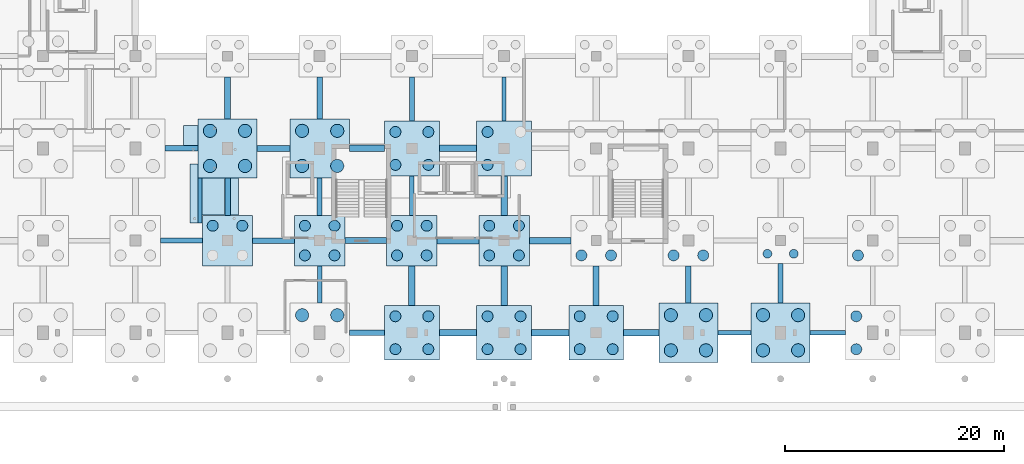
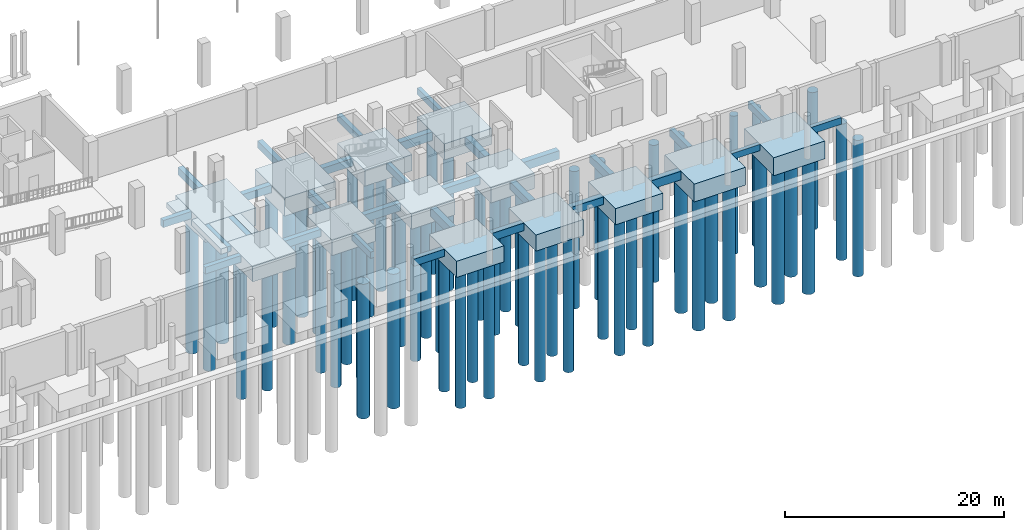
# One storey, part 3 of 39: 59 piles, 47 footings.
"""IFC4 building model written with IfcOpenShell, lengths in metres."""

from ifc_helpers import new_model, si_unit, derived_unit, direction, frame, origin, origin_2d, place, context, subcontext, project, spatial, polyline, rectangle, circle, outline, extrude, material, material_profile, profile_set, type_object, element, save


model = new_model("IFC4")

# Units and contexts
model_context = context("Model", 3, precision=1e-05, world=origin(), true_north=direction((0.0, 1.0)))
body_context = subcontext(model_context, "Body", "Model", "MODEL_VIEW")
ifc_project = project(units=[si_unit("LENGTHUNIT", "METRE"), si_unit("AREAUNIT", "SQUARE_METRE"), si_unit("VOLUMEUNIT", "CUBIC_METRE"), si_unit("PLANEANGLEUNIT", "RADIAN"), si_unit("MASSUNIT", "GRAM", prefix="KILO"), derived_unit("THERMALTRANSMITTANCEUNIT", [(si_unit("POWERUNIT", "WATT"), 1), (si_unit("LENGTHUNIT", "METRE"), -2), (si_unit("THERMODYNAMICTEMPERATUREUNIT", "KELVIN"), -1)])], contexts=[model_context])

# Site, building, storey
site_placement = place(None, origin())
site = spatial("IfcSite", under=ifc_project, at=site_placement, CompositionType="ELEMENT")
building_placement = place(site_placement, origin())
building = spatial("IfcBuilding", under=site, at=building_placement, Name="Barrovel Congress Hotel", CompositionType="ELEMENT")
storey_placement = place(building_placement, frame((0.0, 0.0, -4.5)))
storey = spatial("IfcBuildingStorey", under=building, at=storey_placement, Name="B01", CompositionType="ELEMENT", Elevation=-4.5)

# Footings
ifc_material_1 = material(Name="Concrete C40", Category="concrete")
footing_type_1 = type_object("IfcFootingType", Name="CAP-PC-09", PredefinedType="PILE_CAP", material=ifc_material_1)
for number, where, z_axis, x_axis, name in (
    (1, (67.199951171875, 12.60009765625, -2.06005859375), (0.0, 0.0, 1.0), (1.0, 0.0, 0.0), "CAP:B01:67.2:12.6"),
    (2, (75.60009765625, 12.60009765625, -2.06005859375), (0.0, 0.0, 1.0), (1.0, 0.0, 0.0), "CAP:B01:75.6:12.6"),
    (3, (84.0, 12.60009765625, -2.06005859375), (0.0, 0.0, 1.0), (1.0, 0.0, 0.0), "CAP:B01:84.0:12.6"),
    (4, (92.39990234375, 12.60009765625, -2.06005859375), (0.0, 0.0, 1.0), (1.0, 0.0, 0.0), "CAP:B01:92.4:12.6"),
):
    element("IfcFooting", number, at=place(storey_placement, frame(where, z_axis=z_axis, x_axis=x_axis)), inside=storey, type_object=footing_type_1, Name=name, PredefinedType="PILE_CAP", context=body_context, shape_type="SweptSolid", body=[
        extrude(rectangle(XDim=4.60009765625, YDim=4.60009765625, at=origin_2d()), origin(), (0.0, 0.0, 1.0), 1.699951171875),
    ])
footing_type_2 = type_object("IfcFootingType", Name="CAP-PC-10", PredefinedType="PILE_CAP", material=ifc_material_1)
for number, where, z_axis, x_axis, name in (
    (5, (84.0, 4.199951171875, -2.16015625), (0.0, 0.0, 1.0), (1.0, 0.0, 0.0), "CAP:B01:84.0:4.2"),
    (6, (84.0, 21.0, -2.16015625), (0.0, 0.0, 1.0), (1.0, 0.0, 0.0), "CAP:B01:84.0:21.0"),
    (7, (92.39990234375, 4.199951171875, -2.16015625), (0.0, 0.0, 1.0), (1.0, 0.0, 0.0), "CAP:B01:92.4:4.2"),
    (8, (92.39990234375, 21.0, -2.16015625), (0.0, 0.0, 1.0), (1.0, 0.0, 0.0), "CAP:B01:92.4:21.0"),
    (9, (100.800048828125, 4.199951171875, -2.16015625), (0.0, 0.0, 1.0), (1.0, 0.0, 0.0), "CAP:B01:100.8:4.2"),
):
    element("IfcFooting", number, at=place(storey_placement, frame(where, z_axis=z_axis, x_axis=x_axis)), inside=storey, type_object=footing_type_2, Name=name, PredefinedType="PILE_CAP", context=body_context, shape_type="SweptSolid", body=[
        extrude(rectangle(XDim=5.0, YDim=5.0, at=origin_2d()), origin(), (0.0, 0.0, 1.0), 1.800048828125),
    ])
footing_type_3 = type_object("IfcFootingType", Name="CAP-PC-11", PredefinedType="PILE_CAP", material=ifc_material_1)
for number, where, z_axis, x_axis, name in (
    (10, (67.199951171875, 21.0, -2.360107421875), (0.0, 0.0, 1.0), (1.0, 0.0, 0.0), "CAP:B01:67.2:21.0"),
    (11, (75.60009765625, 21.0, -2.360107421875), (0.0, 0.0, 1.0), (1.0, 0.0, 0.0), "CAP:B01:75.6:21.0"),
    (12, (109.199951171875, 4.199951171875, -2.360107421875), (0.0, 0.0, 1.0), (1.0, 0.0, 0.0), "CAP:B01:109.2:4.2"),
    (13, (117.60009765625, 4.199951171875, -2.360107421875), (0.0, 0.0, 1.0), (1.0, 0.0, 0.0), "CAP:B01:117.6:4.2"),
):
    element("IfcFooting", number, at=place(storey_placement, frame(where, z_axis=z_axis, x_axis=x_axis)), inside=storey, type_object=footing_type_3, Name=name, PredefinedType="PILE_CAP", context=body_context, shape_type="SweptSolid", body=[
        extrude(rectangle(XDim=5.39990234375, YDim=5.39990234375, at=origin_2d()), origin(), (0.0, 0.0, 1.0), 2.0),
    ])
footing_type_4 = type_object("IfcFootingType", Name="FB-400x700", PredefinedType="FOOTING_BEAM", material=ifc_material_1)
footing_1_placement = place(storey_placement, frame((0.0, 0.0, -1.06005859375)))
element("IfcFooting", 14, at=footing_1_placement, inside=storey, type_object=footing_type_4, Name="FBX:B01:4.2:109.2-117.6", PredefinedType="FOOTING_BEAM", context=body_context, shape_type="SweptSolid", body=[
    extrude(outline(polyline([(111.89990234375, 4.0), (114.89990234375, 4.0), (114.89990234375, 4.39990234375), (111.89990234375, 4.39990234375), (111.89990234375, 4.0)])), origin(), (0.0, 0.0, 1.0), 0.699951171875),
])
footing_2_placement = place(storey_placement, frame((0.0, 0.0, -1.06005859375)))
element("IfcFooting", 15, at=footing_2_placement, inside=storey, type_object=footing_type_4, Name="FBY:B01:75.6:4.2-12.6", PredefinedType="FOOTING_BEAM", context=body_context, shape_type="SweptSolid", body=[
    extrude(outline(polyline([(75.39990234375, 6.89990234375), (75.800048828125, 6.89990234375), (75.800048828125, 10.300048828125), (75.39990234375, 10.300048828125), (75.39990234375, 6.89990234375)])), origin(), (0.0, 0.0, 1.0), 0.699951171875),
])
footing_3_placement = place(storey_placement, frame((0.0, 0.0, -1.06005859375)))
element("IfcFooting", 16, at=footing_3_placement, inside=storey, type_object=footing_type_4, Name="FBY:B01:84.0:12.6-21.0", PredefinedType="FOOTING_BEAM", context=body_context, shape_type="SweptSolid", body=[
    extrude(outline(polyline([(83.800048828125, 14.89990234375), (84.199951171875, 14.89990234375), (84.199951171875, 18.5), (83.800048828125, 18.5), (83.800048828125, 14.89990234375)])), origin(), (0.0, 0.0, 1.0), 0.699951171875),
])
footing_4_placement = place(storey_placement, frame((0.0, 0.0, -1.06005859375)))
element("IfcFooting", 17, at=footing_4_placement, inside=storey, type_object=footing_type_4, Name="FBY:B01:92.4:21.0-29.4", PredefinedType="FOOTING_BEAM", context=body_context, shape_type="SweptSolid", body=[
    extrude(outline(polyline([(92.199951171875, 23.5), (92.60009765625, 23.5), (92.60009765625, 27.5), (92.199951171875, 27.5), (92.199951171875, 23.5)])), origin(), (0.0, 0.0, 1.0), 0.699951171875),
])
footing_type_5 = type_object("IfcFootingType", Name="FB-450x750", PredefinedType="FOOTING_BEAM", material=ifc_material_1)
footing_5_placement = place(storey_placement, frame((0.0, 0.0, -1.110107421875)))
element("IfcFooting", 18, at=footing_5_placement, inside=storey, type_object=footing_type_5, Name="FBX:B01:4.2:117.6-126.0", PredefinedType="FOOTING_BEAM", context=body_context, shape_type="SweptSolid", body=[
    extrude(outline(polyline([(120.300048828125, 3.97509765625), (123.5, 3.97509765625), (123.5, 4.425048828125), (120.300048828125, 4.425048828125), (120.300048828125, 3.97509765625)])), origin(), (0.0, 0.0, 1.0), 0.75),
])
footing_6_placement = place(storey_placement, frame((0.0, 0.0, -1.110107421875)))
element("IfcFooting", 19, at=footing_6_placement, inside=storey, type_object=footing_type_5, Name="FBX:B01:12.6:58.8-67.2", PredefinedType="FOOTING_BEAM", context=body_context, shape_type="SweptSolid", body=[
    extrude(outline(polyline([(61.10009765625, 12.375), (64.89990234375, 12.375), (64.89990234375, 12.824951171875), (61.10009765625, 12.824951171875), (61.10009765625, 12.375)])), origin(), (0.0, 0.0, 1.0), 0.75),
])
footing_7_placement = place(storey_placement, frame((0.0, 0.0, -1.110107421875)))
element("IfcFooting", 20, at=footing_7_placement, inside=storey, type_object=footing_type_5, Name="FBY:B01:75.6:12.6-21.0", PredefinedType="FOOTING_BEAM", context=body_context, shape_type="SweptSolid", body=[
    extrude(outline(polyline([(75.375, 14.89990234375), (75.824951171875, 14.89990234375), (75.824951171875, 18.300048828125), (75.375, 18.300048828125), (75.375, 14.89990234375)])), origin(), (0.0, 0.0, 1.0), 0.75),
])
footing_8_placement = place(storey_placement, frame((0.0, 0.0, -1.110107421875)))
element("IfcFooting", 21, at=footing_8_placement, inside=storey, type_object=footing_type_5, Name="FBY:B01:84.0:21.0-29.4", PredefinedType="FOOTING_BEAM", context=body_context, shape_type="SweptSolid", body=[
    extrude(outline(polyline([(83.77490234375, 23.5), (84.22509765625, 23.5), (84.22509765625, 27.5), (83.77490234375, 27.5), (83.77490234375, 23.5)])), origin(), (0.0, 0.0, 1.0), 0.75),
])
footing_9_placement = place(storey_placement, frame((0.0, 0.0, -1.110107421875)))
element("IfcFooting", 22, at=footing_9_placement, inside=storey, type_object=footing_type_5, Name="FBY:B01:117.6:4.2-12.6", PredefinedType="FOOTING_BEAM", context=body_context, shape_type="SweptSolid", body=[
    extrude(outline(polyline([(117.375, 6.89990234375), (117.824951171875, 6.89990234375), (117.824951171875, 10.5), (117.375, 10.5), (117.375, 6.89990234375)])), origin(), (0.0, 0.0, 1.0), 0.75),
])
footing_type_6 = type_object("IfcFootingType", Name="FB-500x800", PredefinedType="FOOTING_BEAM", material=ifc_material_1)
footing_10_placement = place(storey_placement, frame((0.0, 0.0, -1.159912109375)))
element("IfcFooting", 23, at=footing_10_placement, inside=storey, type_object=footing_type_6, Name="FBX:B01:4.2:75.6-84.0", PredefinedType="FOOTING_BEAM", context=body_context, shape_type="SweptSolid", body=[
    extrude(outline(polyline([(78.300048828125, 3.949951171875), (81.5, 3.949951171875), (81.5, 4.449951171875), (78.300048828125, 4.449951171875), (78.300048828125, 3.949951171875)])), origin(), (0.0, 0.0, 1.0), 0.7998046875),
])
footing_11_placement = place(storey_placement, frame((0.0, 0.0, -1.159912109375)))
element("IfcFooting", 24, at=footing_11_placement, inside=storey, type_object=footing_type_6, Name="FBX:B01:12.6:67.2-75.6", PredefinedType="FOOTING_BEAM", context=body_context, shape_type="SweptSolid", body=[
    extrude(outline(polyline([(69.5, 12.35009765625), (73.300048828125, 12.35009765625), (73.300048828125, 12.85009765625), (69.5, 12.85009765625), (69.5, 12.35009765625)])), origin(), (0.0, 0.0, 1.0), 0.7998046875),
])
footing_12_placement = place(storey_placement, frame((0.0, 0.0, -1.159912109375)))
element("IfcFooting", 25, at=footing_12_placement, inside=storey, type_object=footing_type_6, Name="FBX:B01:21.0:58.8-67.2", PredefinedType="FOOTING_BEAM", context=body_context, shape_type="SweptSolid", body=[
    extrude(outline(polyline([(61.5, 20.75), (64.5, 20.75), (64.5, 21.25), (61.5, 21.25), (61.5, 20.75)])), origin(), (0.0, 0.0, 1.0), 0.7998046875),
])
footing_13_placement = place(storey_placement, frame((0.0, 0.0, -1.159912109375)))
element("IfcFooting", 26, at=footing_13_placement, inside=storey, type_object=footing_type_6, Name="FBY:B01:67.2:12.6-21.0", PredefinedType="FOOTING_BEAM", context=body_context, shape_type="SweptSolid", body=[
    extrude(outline(polyline([(66.949951171875, 14.89990234375), (67.449951171875, 14.89990234375), (67.449951171875, 18.300048828125), (66.949951171875, 18.300048828125), (66.949951171875, 14.89990234375)])), origin(), (0.0, 0.0, 1.0), 0.7998046875),
])
footing_14_placement = place(storey_placement, frame((0.0, 0.0, -1.159912109375)))
element("IfcFooting", 27, at=footing_14_placement, inside=storey, type_object=footing_type_6, Name="FBY:B01:75.6:21.0-29.4", PredefinedType="FOOTING_BEAM", context=body_context, shape_type="SweptSolid", body=[
    extrude(outline(polyline([(75.35009765625, 23.699951171875), (75.85009765625, 23.699951171875), (75.85009765625, 27.5), (75.35009765625, 27.5), (75.35009765625, 23.699951171875)])), origin(), (0.0, 0.0, 1.0), 0.7998046875),
])
footing_15_placement = place(storey_placement, frame((0.0, 0.0, -1.159912109375)))
element("IfcFooting", 28, at=footing_15_placement, inside=storey, type_object=footing_type_6, Name="FBY:B01:109.2:4.2-12.6", PredefinedType="FOOTING_BEAM", context=body_context, shape_type="SweptSolid", body=[
    extrude(outline(polyline([(108.949951171875, 6.89990234375), (109.449951171875, 6.89990234375), (109.449951171875, 10.300048828125), (108.949951171875, 10.300048828125), (108.949951171875, 6.89990234375)])), origin(), (0.0, 0.0, 1.0), 0.7998046875),
])
footing_type_7 = type_object("IfcFootingType", Name="FB-550x850", PredefinedType="FOOTING_BEAM", material=ifc_material_1)
footing_16_placement = place(storey_placement, frame((0.0, 0.0, -1.2099609375)))
element("IfcFooting", 29, at=footing_16_placement, inside=storey, type_object=footing_type_7, Name="FBX:B01:4.2:84.0-92.4", PredefinedType="FOOTING_BEAM", context=body_context, shape_type="SweptSolid", body=[
    extrude(outline(polyline([(86.5, 3.925048828125), (89.89990234375, 3.925048828125), (89.89990234375, 4.47509765625), (86.5, 4.47509765625), (86.5, 3.925048828125)])), origin(), (0.0, 0.0, 1.0), 0.849853515625),
])
footing_17_placement = place(storey_placement, frame((0.0, 0.0, -1.2099609375)))
element("IfcFooting", 30, at=footing_17_placement, inside=storey, type_object=footing_type_7, Name="FBX:B01:12.6:75.6-84.0", PredefinedType="FOOTING_BEAM", context=body_context, shape_type="SweptSolid", body=[
    extrude(outline(polyline([(77.89990234375, 12.324951171875), (81.699951171875, 12.324951171875), (81.699951171875, 12.875), (77.89990234375, 12.875), (77.89990234375, 12.324951171875)])), origin(), (0.0, 0.0, 1.0), 0.849853515625),
])
footing_18_placement = place(storey_placement, frame((0.0, 0.0, -1.2099609375)))
element("IfcFooting", 31, at=footing_18_placement, inside=storey, type_object=footing_type_7, Name="FBX:B01:21.0:67.2-75.6", PredefinedType="FOOTING_BEAM", context=body_context, shape_type="SweptSolid", body=[
    extrude(outline(polyline([(69.89990234375, 20.72509765625), (72.89990234375, 20.72509765625), (72.89990234375, 21.27490234375), (69.89990234375, 21.27490234375), (69.89990234375, 20.72509765625)])), origin(), (0.0, 0.0, 1.0), 0.849853515625),
])
footing_19_placement = place(storey_placement, frame((0.0, 0.0, -1.2099609375)))
element("IfcFooting", 32, at=footing_19_placement, inside=storey, type_object=footing_type_7, Name="FBY:B01:67.2:21.0-29.4", PredefinedType="FOOTING_BEAM", context=body_context, shape_type="SweptSolid", body=[
    extrude(outline(polyline([(66.925048828125, 23.699951171875), (67.47509765625, 23.699951171875), (67.47509765625, 27.5), (66.925048828125, 27.5), (66.925048828125, 23.699951171875)])), origin(), (0.0, 0.0, 1.0), 0.849853515625),
])
footing_20_placement = place(storey_placement, frame((0.0, 0.0, -1.2099609375)))
element("IfcFooting", 33, at=footing_20_placement, inside=storey, type_object=footing_type_7, Name="FBY:B01:100.8:4.2-12.6", PredefinedType="FOOTING_BEAM", context=body_context, shape_type="SweptSolid", body=[
    extrude(outline(polyline([(100.52490234375, 6.699951171875), (101.074951171875, 6.699951171875), (101.074951171875, 10.300048828125), (100.52490234375, 10.300048828125), (100.52490234375, 6.699951171875)])), origin(), (0.0, 0.0, 1.0), 0.849853515625),
])
footing_type_8 = type_object("IfcFootingType", Name="FB-600x850", PredefinedType="FOOTING_BEAM", material=ifc_material_1)
footing_21_placement = place(storey_placement, frame((0.0, 0.0, -1.2099609375)))
element("IfcFooting", 34, at=footing_21_placement, inside=storey, type_object=footing_type_8, Name="FBX:B01:4.2:92.4-100.8", PredefinedType="FOOTING_BEAM", context=body_context, shape_type="SweptSolid", body=[
    extrude(outline(polyline([(94.89990234375, 3.89990234375), (98.300048828125, 3.89990234375), (98.300048828125, 4.5), (94.89990234375, 4.5), (94.89990234375, 3.89990234375)])), origin(), (0.0, 0.0, 1.0), 0.849853515625),
])
footing_22_placement = place(storey_placement, frame((0.0, 0.0, -1.2099609375)))
element("IfcFooting", 35, at=footing_22_placement, inside=storey, type_object=footing_type_8, Name="FBX:B01:12.6:84.0-92.4", PredefinedType="FOOTING_BEAM", context=body_context, shape_type="SweptSolid", body=[
    extrude(outline(polyline([(86.300048828125, 12.300048828125), (90.10009765625, 12.300048828125), (90.10009765625, 12.89990234375), (86.300048828125, 12.89990234375), (86.300048828125, 12.300048828125)])), origin(), (0.0, 0.0, 1.0), 0.849853515625),
])
footing_23_placement = place(storey_placement, frame((0.0, 0.0, -1.2099609375)))
element("IfcFooting", 36, at=footing_23_placement, inside=storey, type_object=footing_type_8, Name="FBX:B01:21.0:75.6-84.0", PredefinedType="FOOTING_BEAM", context=body_context, shape_type="SweptSolid", body=[
    extrude(outline(polyline([(78.300048828125, 20.699951171875), (81.5, 20.699951171875), (81.5, 21.300048828125), (78.300048828125, 21.300048828125), (78.300048828125, 20.699951171875)])), origin(), (0.0, 0.0, 1.0), 0.849853515625),
])
footing_24_placement = place(storey_placement, frame((0.0, 0.0, -1.2099609375)))
element("IfcFooting", 37, at=footing_24_placement, inside=storey, type_object=footing_type_8, Name="FBY:B01:92.4:4.2-12.6", PredefinedType="FOOTING_BEAM", context=body_context, shape_type="SweptSolid", body=[
    extrude(outline(polyline([(92.10009765625, 6.699951171875), (92.699951171875, 6.699951171875), (92.699951171875, 10.300048828125), (92.10009765625, 10.300048828125), (92.10009765625, 6.699951171875)])), origin(), (0.0, 0.0, 1.0), 0.849853515625),
])
footing_type_9 = type_object("IfcFootingType", Name="FB-600x950", PredefinedType="FOOTING_BEAM", material=ifc_material_1)
footing_25_placement = place(storey_placement, frame((0.0, 0.0, -1.31005859375)))
element("IfcFooting", 38, at=footing_25_placement, inside=storey, type_object=footing_type_9, Name="FBX:B01:4.2:100.8-109.2", PredefinedType="FOOTING_BEAM", context=body_context, shape_type="SweptSolid", body=[
    extrude(outline(polyline([(103.300048828125, 3.89990234375), (106.5, 3.89990234375), (106.5, 4.5), (103.300048828125, 4.5), (103.300048828125, 3.89990234375)])), origin(), (0.0, 0.0, 1.0), 0.949951171875),
])
footing_26_placement = place(storey_placement, frame((0.0, 0.0, -1.31005859375)))
element("IfcFooting", 39, at=footing_26_placement, inside=storey, type_object=footing_type_9, Name="FBX:B01:12.6:92.4-100.8", PredefinedType="FOOTING_BEAM", context=body_context, shape_type="SweptSolid", body=[
    extrude(outline(polyline([(94.699951171875, 12.300048828125), (98.5, 12.300048828125), (98.5, 12.89990234375), (94.699951171875, 12.89990234375), (94.699951171875, 12.300048828125)])), origin(), (0.0, 0.0, 1.0), 0.949951171875),
])
footing_27_placement = place(storey_placement, frame((0.0, 0.0, -1.31005859375)))
element("IfcFooting", 40, at=footing_27_placement, inside=storey, type_object=footing_type_9, Name="FBX:B01:21.0:84.0-92.4", PredefinedType="FOOTING_BEAM", context=body_context, shape_type="SweptSolid", body=[
    extrude(outline(polyline([(86.5, 20.699951171875), (89.89990234375, 20.699951171875), (89.89990234375, 21.300048828125), (86.5, 21.300048828125), (86.5, 20.699951171875)])), origin(), (0.0, 0.0, 1.0), 0.949951171875),
])
footing_28_placement = place(storey_placement, frame((0.0, 0.0, -1.31005859375)))
element("IfcFooting", 41, at=footing_28_placement, inside=storey, type_object=footing_type_9, Name="FBY:B01:84.0:4.2-12.6", PredefinedType="FOOTING_BEAM", context=body_context, shape_type="SweptSolid", body=[
    extrude(outline(polyline([(83.699951171875, 6.699951171875), (84.300048828125, 6.699951171875), (84.300048828125, 10.300048828125), (83.699951171875, 10.300048828125), (83.699951171875, 6.699951171875)])), origin(), (0.0, 0.0, 1.0), 0.949951171875),
])
footing_29_placement = place(storey_placement, frame((0.0, 0.0, -1.31005859375)))
element("IfcFooting", 42, at=footing_29_placement, inside=storey, type_object=footing_type_9, Name="FBY:B01:92.4:12.6-21.0", PredefinedType="FOOTING_BEAM", context=body_context, shape_type="SweptSolid", body=[
    extrude(outline(polyline([(92.10009765625, 14.89990234375), (92.699951171875, 14.89990234375), (92.699951171875, 18.5), (92.10009765625, 18.5), (92.10009765625, 14.89990234375)])), origin(), (0.0, 0.0, 1.0), 0.949951171875),
])

# Piles
ifc_material_2 = material(Name="Concrete C35", Category="concrete")
ifc_material_profile_1 = material_profile(ifc_material_2, circle(Radius=0.5, at=origin_2d()), Name="BP-D1000")
ifc_profile_set_1 = profile_set([ifc_material_profile_1], Name="Concrete C35")
pile_type_1 = type_object("IfcPileType", Name="PILE-BP-D1000", PredefinedType="BORED", material=ifc_profile_set_1)
for number, where, z_axis, x_axis, name in (
    (43, (65.85009765625, 13.949951171875, -2.06005859375), (0.0, 0.0, -1.0), (1.0, 0.0, 0.0), "PILE:B01:67.2:12.6:3"),
    (44, (68.550048828125, 13.949951171875, -2.06005859375), (0.0, 0.0, -1.0), (1.0, 0.0, 0.0), "PILE:B01:67.2:12.6:4"),
    (45, (74.25, 11.25, -2.06005859375), (0.0, 0.0, -1.0), (1.0, 0.0, 0.0), "PILE:B01:75.6:12.6:1"),
    (46, (76.949951171875, 11.25, -2.06005859375), (0.0, 0.0, -1.0), (1.0, 0.0, 0.0), "PILE:B01:75.6:12.6:2"),
    (47, (74.25, 13.949951171875, -2.06005859375), (0.0, 0.0, -1.0), (1.0, 0.0, 0.0), "PILE:B01:75.6:12.6:3"),
    (48, (76.949951171875, 13.949951171875, -2.06005859375), (0.0, 0.0, -1.0), (1.0, 0.0, 0.0), "PILE:B01:75.6:12.6:4"),
):
    element("IfcPile", number, at=place(storey_placement, frame(where, z_axis=z_axis, x_axis=x_axis)), inside=storey, type_object=pile_type_1, Name=name, PredefinedType="BORED", context=body_context, shape_type="SweptSolid", body=[
        extrude(circle(Radius=0.5, at=origin_2d()), origin(), (0.0, 0.0, 1.0), 15.340087890625),
    ])
for number, where, z_axis, x_axis, name in (
    (49, (82.5, 2.699951171875, -2.159912109375), (0.0, 0.0, -1.0), (1.0, 0.0, 0.0), "PILE:B01:84.0:4.2:1"),
    (50, (85.5, 2.699951171875, -2.159912109375), (0.0, 0.0, -1.0), (1.0, 0.0, 0.0), "PILE:B01:84.0:4.2:2"),
    (51, (82.5, 5.699951171875, -2.159912109375), (0.0, 0.0, -1.0), (1.0, 0.0, 0.0), "PILE:B01:84.0:4.2:3"),
    (52, (85.5, 5.699951171875, -2.159912109375), (0.0, 0.0, -1.0), (1.0, 0.0, 0.0), "PILE:B01:84.0:4.2:4"),
):
    element("IfcPile", number, at=place(storey_placement, frame(where, z_axis=z_axis, x_axis=x_axis)), inside=storey, type_object=pile_type_1, Name=name, PredefinedType="BORED", context=body_context, shape_type="SweptSolid", body=[
        extrude(circle(Radius=0.5, at=origin_2d()), origin(), (0.0, 0.0, 1.0), 15.239990234375),
    ])
for number, where, z_axis, x_axis, name in (
    (53, (82.64990234375, 11.25, -2.06005859375), (0.0, 0.0, -1.0), (1.0, 0.0, 0.0), "PILE:B01:84.0:12.6:1"),
    (54, (85.35009765625, 11.25, -2.06005859375), (0.0, 0.0, -1.0), (1.0, 0.0, 0.0), "PILE:B01:84.0:12.6:2"),
    (55, (82.64990234375, 13.949951171875, -2.06005859375), (0.0, 0.0, -1.0), (1.0, 0.0, 0.0), "PILE:B01:84.0:12.6:3"),
    (56, (85.35009765625, 13.949951171875, -2.06005859375), (0.0, 0.0, -1.0), (1.0, 0.0, 0.0), "PILE:B01:84.0:12.6:4"),
):
    element("IfcPile", number, at=place(storey_placement, frame(where, z_axis=z_axis, x_axis=x_axis)), inside=storey, type_object=pile_type_1, Name=name, PredefinedType="BORED", context=body_context, shape_type="SweptSolid", body=[
        extrude(circle(Radius=0.5, at=origin_2d()), origin(), (0.0, 0.0, 1.0), 15.340087890625),
    ])
for number, where, z_axis, x_axis, name in (
    (57, (82.5, 19.5, -2.159912109375), (0.0, 0.0, -1.0), (1.0, 0.0, 0.0), "PILE:B01:84.0:21.0:1"),
    (58, (85.5, 19.5, -2.159912109375), (0.0, 0.0, -1.0), (1.0, 0.0, 0.0), "PILE:B01:84.0:21.0:2"),
    (59, (82.5, 22.5, -2.159912109375), (0.0, 0.0, -1.0), (1.0, 0.0, 0.0), "PILE:B01:84.0:21.0:3"),
    (60, (85.5, 22.5, -2.159912109375), (0.0, 0.0, -1.0), (1.0, 0.0, 0.0), "PILE:B01:84.0:21.0:4"),
    (61, (90.89990234375, 2.699951171875, -2.159912109375), (0.0, 0.0, -1.0), (1.0, 0.0, 0.0), "PILE:B01:92.4:4.2:1"),
    (62, (93.89990234375, 2.699951171875, -2.159912109375), (0.0, 0.0, -1.0), (1.0, 0.0, 0.0), "PILE:B01:92.4:4.2:2"),
    (63, (90.89990234375, 5.699951171875, -2.159912109375), (0.0, 0.0, -1.0), (1.0, 0.0, 0.0), "PILE:B01:92.4:4.2:3"),
    (64, (93.89990234375, 5.699951171875, -2.159912109375), (0.0, 0.0, -1.0), (1.0, 0.0, 0.0), "PILE:B01:92.4:4.2:4"),
):
    element("IfcPile", number, at=place(storey_placement, frame(where, z_axis=z_axis, x_axis=x_axis)), inside=storey, type_object=pile_type_1, Name=name, PredefinedType="BORED", context=body_context, shape_type="SweptSolid", body=[
        extrude(circle(Radius=0.5, at=origin_2d()), origin(), (0.0, 0.0, 1.0), 15.239990234375),
    ])
for number, where, z_axis, x_axis, name in (
    (65, (91.050048828125, 11.25, -2.06005859375), (0.0, 0.0, -1.0), (1.0, 0.0, 0.0), "PILE:B01:92.4:12.6:1"),
    (66, (93.75, 11.25, -2.06005859375), (0.0, 0.0, -1.0), (1.0, 0.0, 0.0), "PILE:B01:92.4:12.6:2"),
    (67, (91.050048828125, 13.949951171875, -2.06005859375), (0.0, 0.0, -1.0), (1.0, 0.0, 0.0), "PILE:B01:92.4:12.6:3"),
    (68, (93.75, 13.949951171875, -2.06005859375), (0.0, 0.0, -1.0), (1.0, 0.0, 0.0), "PILE:B01:92.4:12.6:4"),
):
    element("IfcPile", number, at=place(storey_placement, frame(where, z_axis=z_axis, x_axis=x_axis)), inside=storey, type_object=pile_type_1, Name=name, PredefinedType="BORED", context=body_context, shape_type="SweptSolid", body=[
        extrude(circle(Radius=0.5, at=origin_2d()), origin(), (0.0, 0.0, 1.0), 15.340087890625),
    ])
for number, where, z_axis, x_axis, name in (
    (69, (90.89990234375, 19.5, -2.159912109375), (0.0, 0.0, -1.0), (1.0, 0.0, 0.0), "PILE:B01:92.4:21.0:1"),
    (70, (90.89990234375, 22.5, -2.159912109375), (0.0, 0.0, -1.0), (1.0, 0.0, 0.0), "PILE:B01:92.4:21.0:3"),
    (71, (99.300048828125, 2.699951171875, -2.159912109375), (0.0, 0.0, -1.0), (1.0, 0.0, 0.0), "PILE:B01:100.8:4.2:1"),
    (72, (102.300048828125, 2.699951171875, -2.159912109375), (0.0, 0.0, -1.0), (1.0, 0.0, 0.0), "PILE:B01:100.8:4.2:2"),
    (73, (99.300048828125, 5.699951171875, -2.159912109375), (0.0, 0.0, -1.0), (1.0, 0.0, 0.0), "PILE:B01:100.8:4.2:3"),
    (74, (102.300048828125, 5.699951171875, -2.159912109375), (0.0, 0.0, -1.0), (1.0, 0.0, 0.0), "PILE:B01:100.8:4.2:4"),
):
    element("IfcPile", number, at=place(storey_placement, frame(where, z_axis=z_axis, x_axis=x_axis)), inside=storey, type_object=pile_type_1, Name=name, PredefinedType="BORED", context=body_context, shape_type="SweptSolid", body=[
        extrude(circle(Radius=0.5, at=origin_2d()), origin(), (0.0, 0.0, 1.0), 15.239990234375),
    ])
for number, where, z_axis, x_axis, name in (
    (75, (99.449951171875, 11.25, -2.06005859375), (0.0, 0.0, -1.0), (1.0, 0.0, 0.0), "PILE:B01:100.8:12.6:1"),
    (76, (102.14990234375, 11.25, -2.06005859375), (0.0, 0.0, -1.0), (1.0, 0.0, 0.0), "PILE:B01:100.8:12.6:2"),
    (77, (107.85009765625, 11.25, -2.06005859375), (0.0, 0.0, -1.0), (1.0, 0.0, 0.0), "PILE:B01:109.2:12.6:1"),
    (78, (110.550048828125, 11.25, -2.06005859375), (0.0, 0.0, -1.0), (1.0, 0.0, 0.0), "PILE:B01:109.2:12.6:2"),
):
    element("IfcPile", number, at=place(storey_placement, frame(where, z_axis=z_axis, x_axis=x_axis)), inside=storey, type_object=pile_type_1, Name=name, PredefinedType="BORED", context=body_context, shape_type="SweptSolid", body=[
        extrude(circle(Radius=0.5, at=origin_2d()), origin(), (0.0, 0.0, 1.0), 15.340087890625),
    ])
for number, where, z_axis, x_axis, name in (
    (79, (124.5, 2.699951171875, -2.159912109375), (0.0, 0.0, -1.0), (1.0, 0.0, 0.0), "PILE:B01:126.0:4.2:1"),
    (80, (124.5, 5.699951171875, -2.159912109375), (0.0, 0.0, -1.0), (1.0, 0.0, 0.0), "PILE:B01:126.0:4.2:3"),
):
    element("IfcPile", number, at=place(storey_placement, frame(where, z_axis=z_axis, x_axis=x_axis)), inside=storey, type_object=pile_type_1, Name=name, PredefinedType="BORED", context=body_context, shape_type="SweptSolid", body=[
        extrude(circle(Radius=0.5, at=origin_2d()), origin(), (0.0, 0.0, 1.0), 15.239990234375),
    ])
pile_placement = place(storey_placement, frame((124.64990234375, 11.25, -2.06005859375), z_axis=(0.0, 0.0, -1.0), x_axis=(1.0, 0.0, 0.0)))
element("IfcPile", 81, at=pile_placement, inside=storey, type_object=pile_type_1, Name="PILE:B01:126.0:12.6:1", PredefinedType="BORED", context=body_context, shape_type="SweptSolid", body=[
    extrude(circle(Radius=0.5, at=origin_2d()), origin(), (0.0, 0.0, 1.0), 15.340087890625),
])
ifc_material_profile_2 = material_profile(ifc_material_2, circle(Radius=0.60009765625, at=origin_2d()), Name="BP-D1200")
ifc_profile_set_2 = profile_set([ifc_material_profile_2], Name="Concrete C35")
pile_type_2 = type_object("IfcPileType", Name="PILE-BP-D1200", PredefinedType="BORED", material=ifc_profile_set_2)
for number, where, z_axis, x_axis, name in (
    (82, (65.60009765625, 19.39990234375, -2.360107421875), (0.0, 0.0, -1.0), (1.0, 0.0, 0.0), "PILE:B01:67.2:21.0:1"),
    (83, (68.800048828125, 19.39990234375, -2.360107421875), (0.0, 0.0, -1.0), (1.0, 0.0, 0.0), "PILE:B01:67.2:21.0:2"),
    (84, (65.60009765625, 22.60009765625, -2.360107421875), (0.0, 0.0, -1.0), (1.0, 0.0, 0.0), "PILE:B01:67.2:21.0:3"),
    (85, (68.800048828125, 22.60009765625, -2.360107421875), (0.0, 0.0, -1.0), (1.0, 0.0, 0.0), "PILE:B01:67.2:21.0:4"),
    (86, (74.0, 5.800048828125, -2.360107421875), (0.0, 0.0, -1.0), (1.0, 0.0, 0.0), "PILE:B01:75.6:4.2:3"),
    (87, (77.199951171875, 5.800048828125, -2.360107421875), (0.0, 0.0, -1.0), (1.0, 0.0, 0.0), "PILE:B01:75.6:4.2:4"),
    (88, (74.0, 19.39990234375, -2.360107421875), (0.0, 0.0, -1.0), (1.0, 0.0, 0.0), "PILE:B01:75.6:21.0:1"),
    (89, (77.199951171875, 19.39990234375, -2.360107421875), (0.0, 0.0, -1.0), (1.0, 0.0, 0.0), "PILE:B01:75.6:21.0:2"),
    (90, (74.0, 22.60009765625, -2.360107421875), (0.0, 0.0, -1.0), (1.0, 0.0, 0.0), "PILE:B01:75.6:21.0:3"),
    (91, (77.199951171875, 22.60009765625, -2.360107421875), (0.0, 0.0, -1.0), (1.0, 0.0, 0.0), "PILE:B01:75.6:21.0:4"),
    (92, (107.60009765625, 2.60009765625, -2.360107421875), (0.0, 0.0, -1.0), (1.0, 0.0, 0.0), "PILE:B01:109.2:4.2:1"),
    (93, (110.800048828125, 2.60009765625, -2.360107421875), (0.0, 0.0, -1.0), (1.0, 0.0, 0.0), "PILE:B01:109.2:4.2:2"),
    (94, (107.60009765625, 5.800048828125, -2.360107421875), (0.0, 0.0, -1.0), (1.0, 0.0, 0.0), "PILE:B01:109.2:4.2:3"),
    (95, (110.800048828125, 5.800048828125, -2.360107421875), (0.0, 0.0, -1.0), (1.0, 0.0, 0.0), "PILE:B01:109.2:4.2:4"),
    (96, (116.0, 2.60009765625, -2.360107421875), (0.0, 0.0, -1.0), (1.0, 0.0, 0.0), "PILE:B01:117.6:4.2:1"),
    (97, (119.199951171875, 2.60009765625, -2.360107421875), (0.0, 0.0, -1.0), (1.0, 0.0, 0.0), "PILE:B01:117.6:4.2:2"),
    (98, (116.0, 5.800048828125, -2.360107421875), (0.0, 0.0, -1.0), (1.0, 0.0, 0.0), "PILE:B01:117.6:4.2:3"),
    (99, (119.199951171875, 5.800048828125, -2.360107421875), (0.0, 0.0, -1.0), (1.0, 0.0, 0.0), "PILE:B01:117.6:4.2:4"),
):
    element("IfcPile", number, at=place(storey_placement, frame(where, z_axis=z_axis, x_axis=x_axis)), inside=storey, type_object=pile_type_2, Name=name, PredefinedType="BORED", context=body_context, shape_type="SweptSolid", body=[
        extrude(circle(Radius=0.60009765625, at=origin_2d()), origin(), (0.0, 0.0, 1.0), 15.0400390625),
    ])
ifc_material_profile_3 = material_profile(ifc_material_2, circle(Radius=0.39990234375, at=origin_2d()), Name="BP-D800")
ifc_profile_set_3 = profile_set([ifc_material_profile_3], Name="Concrete C35")
pile_type_3 = type_object("IfcPileType", Name="PILE-BP-D800", PredefinedType="BORED", material=ifc_profile_set_3)
for number, where, z_axis, x_axis, name in (
    (100, (116.39990234375, 11.39990234375, -1.9599609375), (0.0, 0.0, -1.0), (1.0, 0.0, 0.0), "PILE:B01:117.6:12.6:1"),
    (101, (118.800048828125, 11.39990234375, -1.9599609375), (0.0, 0.0, -1.0), (1.0, 0.0, 0.0), "PILE:B01:117.6:12.6:2"),
):
    element("IfcPile", number, at=place(storey_placement, frame(where, z_axis=z_axis, x_axis=x_axis)), inside=storey, type_object=pile_type_3, Name=name, PredefinedType="BORED", context=body_context, shape_type="SweptSolid", body=[
        extrude(circle(Radius=0.39990234375, at=origin_2d()), origin(), (0.0, 0.0, 1.0), 15.43994140625),
    ])

# Footings
footing_type_10 = type_object("IfcFootingType", Name="SF-1000x600", PredefinedType="STRIP_FOOTING", material=ifc_material_1)
footing_30_placement = place(storey_placement, frame((0.0, 0.0, -0.9599609375)))
element("IfcFooting", 102, at=footing_30_placement, inside=storey, type_object=footing_type_10, Name="SF:ATR-1:1", PredefinedType="STRIP_FOOTING", context=body_context, shape_type="SweptSolid", body=[
    extrude(outline(polyline([(63.800048828125, 14.199951171875), (64.489990234375, 14.199951171875), (64.489990234375, 19.60009765625), (63.800048828125, 19.60009765625), (63.800048828125, 14.199951171875)])), origin(), (0.0, 0.0, 1.0), 0.599853515625),
])
footing_31_placement = place(storey_placement, frame((0.0, 0.0, -0.9599609375)))
element("IfcFooting", 103, at=footing_31_placement, inside=storey, type_object=footing_type_10, Name="SF:ATR-1:2", PredefinedType="STRIP_FOOTING", context=body_context, shape_type="SweptSolid", body=[
    extrude(outline(polyline([(64.489990234375, 14.199951171875), (64.889892578125, 14.199951171875), (64.889892578125, 18.2900390625), (64.489990234375, 18.2900390625), (64.489990234375, 14.199951171875)])), origin(), (0.0, 0.0, 1.0), 0.599853515625),
])
footing_32_placement = place(storey_placement, frame((0.0, 0.0, -0.9599609375)))
element("IfcFooting", 104, at=footing_32_placement, inside=storey, type_object=footing_type_10, Name="SF:ATR-1:3", PredefinedType="STRIP_FOOTING", context=body_context, shape_type="SweptSolid", body=[
    extrude(outline(polyline([(64.889892578125, 14.909912109375), (66.93994140625, 14.909912109375), (66.93994140625, 18.2900390625), (64.889892578125, 18.2900390625), (64.889892578125, 14.909912109375)])), origin(), (0.0, 0.0, 1.0), 0.599853515625),
])
footing_33_placement = place(storey_placement, frame((0.0, 0.0, -0.9599609375)))
element("IfcFooting", 105, at=footing_33_placement, inside=storey, type_object=footing_type_10, Name="SF:ATR-1:4", PredefinedType="STRIP_FOOTING", context=body_context, shape_type="SweptSolid", body=[
    extrude(outline(polyline([(67.4599609375, 14.909912109375), (68.199951171875, 14.909912109375), (68.199951171875, 18.2900390625), (67.4599609375, 18.2900390625), (67.4599609375, 14.909912109375)])), origin(), (0.0, 0.0, 1.0), 0.599853515625),
])
footing_34_placement = place(storey_placement, frame((0.0, 0.0, -0.9599609375)))
element("IfcFooting", 106, at=footing_34_placement, inside=storey, type_object=footing_type_10, Name="SF:ATR-2", PredefinedType="STRIP_FOOTING", context=body_context, shape_type="SweptSolid", body=[
    extrude(outline(polyline([(63.199951171875, 21.260009765625), (64.489990234375, 21.260009765625), (64.489990234375, 23.10009765625), (63.199951171875, 23.10009765625), (63.199951171875, 21.260009765625)])), origin(), (0.0, 0.0, 1.0), 0.599853515625),
])

save(model, "model.ifc")
